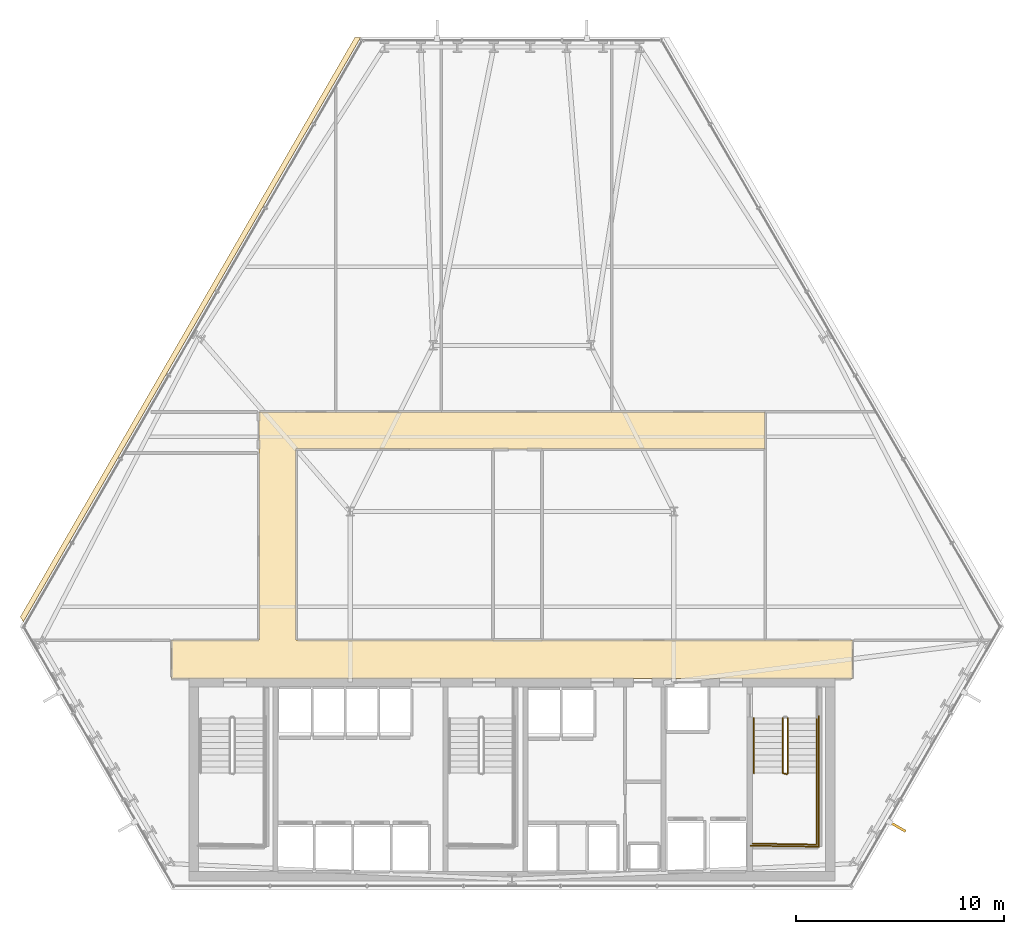
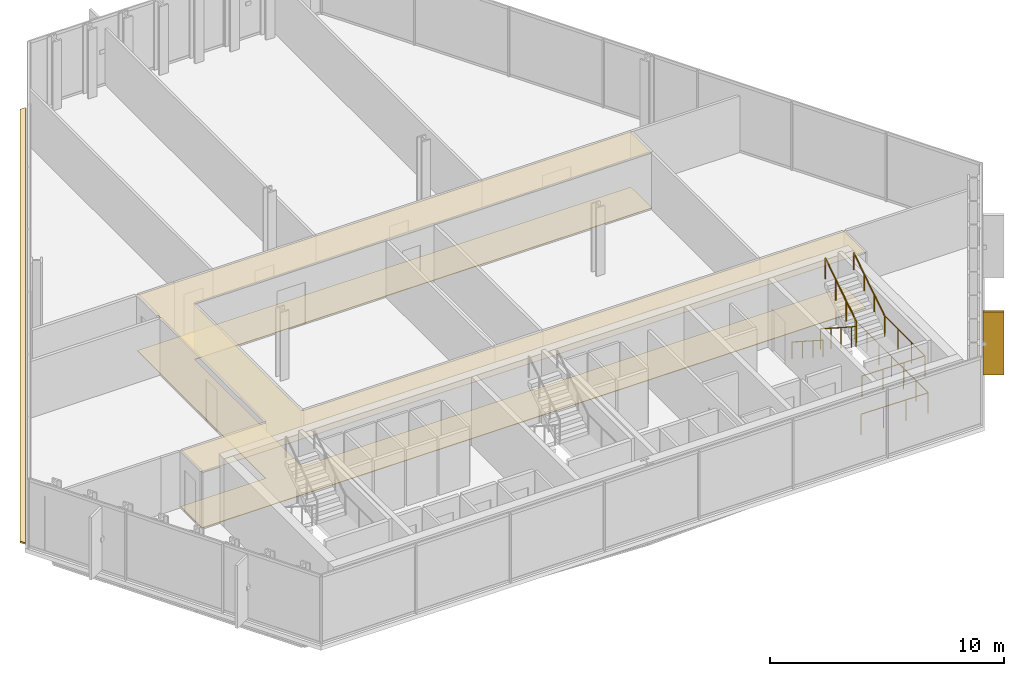
# One storey, part 31 of 33: 6 railings, 3 coverings, 1 shading device.
"""IFC4 building model written with IfcOpenShell, lengths in metres."""

from ifc_helpers import new_model, si_unit, direction, frame, origin, origin_2d, place, context, subcontext, project, spatial, polyline, rectangle, circle, outline, extrude, material, layer, layer_set, type_object, element, save


model = new_model("IFC4")

# Units and contexts
model_context = context("Model", 3, precision=1e-05, world=origin(), true_north=direction((0.0, 1.0)))
body_context = subcontext(model_context, "Body", "Model", "MODEL_VIEW")
ifc_project = project(units=[si_unit("LENGTHUNIT", "METRE"), si_unit("AREAUNIT", "SQUARE_METRE"), si_unit("VOLUMEUNIT", "CUBIC_METRE"), si_unit("PLANEANGLEUNIT", "RADIAN"), si_unit("MASSUNIT", "GRAM", prefix="KILO")], contexts=[model_context])

# Site, building, storey
site_placement = place(None, origin())
site = spatial("IfcSite", under=ifc_project, at=site_placement, CompositionType="ELEMENT")
building_placement = place(site_placement, origin())
building = spatial("IfcBuilding", under=site, at=building_placement, Name="Ndaravel Arena Tower", CompositionType="ELEMENT")
storey_placement = place(building_placement, frame((0.0, 0.0, 81.60009765625)))
storey = spatial("IfcBuildingStorey", under=building, at=storey_placement, Name="L18", CompositionType="ELEMENT", Elevation=81.60009765625)

# Coverings
ifc_material_1 = material(Name="Acoustic Ceiling Tile", Category="finish")
ifc_layer_1 = layer(ifc_material_1, 0.02490234375)
ifc_layer_set_1 = layer_set([ifc_layer_1], Name="Acoustic Ceiling Tile")
covering_type_1 = type_object("IfcCoveringType", Name="COV-CEIL-AC600", PredefinedType="CEILING", material=ifc_layer_set_1)
covering_1_placement = place(storey_placement, frame((0.0, 0.0, 2.919921875)))
element("IfcCovering", 1, at=covering_1_placement, inside=storey, type_object=covering_type_1, Name="L18 Corridor Acoustic Ceiling", PredefinedType="CEILING", context=body_context, shape_type="SweptSolid", body=[
    extrude(outline(polyline([(58.39990234375, 17.0), (31.60009765625, 17.0), (31.60009765625, 26.199951171875), (54.199951171875, 26.199951171875), (54.199951171875, 28.0), (31.60009765625, 28.0), (29.800048828125, 28.0), (29.800048828125, 26.199951171875), (29.800048828125, 17.0), (25.60009765625, 17.0), (25.60009765625, 15.14990234375), (58.39990234375, 15.14990234375), (58.39990234375, 17.0)])), origin(), (0.0, 0.0, 1.0), 0.02490234375),
])
ifc_material_2 = material(Name="Terrazzo", Category="stone")
ifc_layer_2 = layer(ifc_material_2, 0.030029296875)
ifc_layer_set_2 = layer_set([ifc_layer_2], Name="Terrazzo")
covering_type_2 = type_object("IfcCoveringType", Name="COV-FLOOR-TERRAZZO", PredefinedType="FLOORING", material=ifc_layer_set_2)
covering_2_placement = place(storey_placement, origin())
element("IfcCovering", 2, at=covering_2_placement, inside=storey, type_object=covering_type_2, Name="L18 Corridor Terrazzo Flooring", PredefinedType="FLOORING", context=body_context, shape_type="SweptSolid", body=[
    extrude(outline(polyline([(58.39990234375, 17.0), (31.60009765625, 17.0), (31.60009765625, 26.199951171875), (54.199951171875, 26.199951171875), (54.199951171875, 28.0), (31.60009765625, 28.0), (29.800048828125, 28.0), (29.800048828125, 26.199951171875), (29.800048828125, 17.0), (25.60009765625, 17.0), (25.60009765625, 15.14990234375), (58.39990234375, 15.14990234375), (58.39990234375, 17.0)])), origin(), (0.0, 0.0, 1.0), 0.02978515625),
])
ifc_material_3 = material(Name="Roofing Membrane", Category="finish")
ifc_layer_3 = layer(ifc_material_3, 0.080078125)
ifc_layer_set_3 = layer_set([ifc_layer_3], Name="Roofing Membrane")
covering_type_3 = type_object("IfcCoveringType", Name="COV-ROOF-MEMB", PredefinedType="ROOFING", material=ifc_layer_set_3)
covering_3_placement = place(storey_placement, origin())
element("IfcCovering", 3, at=covering_3_placement, inside=storey, type_object=covering_type_3, Name="L18 Facet Setback Weathering Flashing", PredefinedType="ROOFING", context=body_context, shape_type="SweptSolid", body=[
    extrude(outline(polyline([(18.313720703125, 18.127197265625), (34.4208984375, 46.025634765625), (34.703369140625, 46.025634765625), (18.455078125, 17.882568359375), (18.313720703125, 18.127197265625)])), origin(), (0.0, 0.0, 1.0), 0.079833984375),
])

# Railings
ifc_material_4 = material(Name="Steel S355", Category="steel")
ifc_layer_4 = layer(ifc_material_4, 0.06005859375)
ifc_layer_set_4 = layer_set([ifc_layer_4], Name="Steel S355")
railing_type_1 = type_object("IfcRailingType", Name="RAIL-STAIR-GD1100", PredefinedType="GUARDRAIL", material=ifc_layer_set_4)
railing_1_placement = place(storey_placement, frame((55.050048828125, 13.25, 0.18994140625)))
element("IfcRailing", 4, at=railing_1_placement, inside=storey, type_object=railing_type_1, Name="L18 ST-3 stair guard 1", PredefinedType="GUARDRAIL", context=body_context, shape_type="SweptSolid", body=[
    extrude(circle(Radius=0.02392578125, at=origin_2d()), frame((0.0, 0.0, 1.076171875), z_axis=(0.0, -0.840723540582, 0.54146461409), x_axis=(1.0, 0.0, 0.0)), (0.0, 0.0, 1.0), 3.157958984375),
    extrude(circle(Radius=0.02392578125, at=origin_2d()), frame((0.0, -2.655029296875, 2.7861328125), z_axis=(0.966993988697, -0.254799187253, 0.0), x_axis=(0.254799187253, 0.966993988697, 0.0)), (0.0, 0.0, 1.0), 0.196533203125),
    extrude(circle(Radius=0.02099609375, at=origin_2d()), origin(), (0.0, 0.0, 1.0), 1.052001953125),
    extrude(circle(Radius=0.02099609375, at=origin_2d()), frame((0.0, -0.885009765625, 0.570068359375)), (0.0, 0.0, 1.0), 1.052001953125),
    extrude(circle(Radius=0.02099609375, at=origin_2d()), frame((0.0, -1.77001953125, 1.139892578125)), (0.0, 0.0, 1.0), 1.052001953125),
    extrude(circle(Radius=0.02099609375, at=origin_2d()), frame((0.0, -2.655029296875, 1.7099609375)), (0.0, 0.0, 1.0), 1.052001953125),
    extrude(circle(Radius=0.02099609375, at=origin_2d()), frame((0.18994140625, -2.705078125, 1.7099609375)), (0.0, 0.0, 1.0), 1.052001953125),
])
railing_2_placement = place(storey_placement, frame((56.68994140625, 10.594970703125, 1.89990234375)))
element("IfcRailing", 5, at=railing_2_placement, inside=storey, type_object=railing_type_1, Name="L18 ST-3 stair guard 2", PredefinedType="GUARDRAIL", context=body_context, shape_type="SweptSolid", body=[
    extrude(circle(Radius=0.02392578125, at=origin_2d()), frame((0.0, 0.0, 1.076171875), z_axis=(0.0, -1.0, 0.0), x_axis=(1.0, 0.0, 0.0)), (0.0, 0.0, 1.0), 3.445068359375),
    extrude(circle(Radius=0.02392578125, at=origin_2d()), frame((0.0, -3.445068359375, 1.076171875), z_axis=(-0.999868840623, 0.016195726322, 0.0), x_axis=(-0.016195726322, -0.999868840623, 0.0)), (0.0, 0.0, 1.0), 3.09033203125),
    extrude(circle(Radius=0.02099609375, at=origin_2d()), origin(), (0.0, 0.0, 1.0), 1.052001953125),
    extrude(circle(Radius=0.02099609375, at=origin_2d()), frame((0.0, -1.1484375, 0.0)), (0.0, 0.0, 1.0), 1.052001953125),
    extrude(circle(Radius=0.02099609375, at=origin_2d()), frame((0.0, -2.296630859375, 0.0)), (0.0, 0.0, 1.0), 1.052001953125),
    extrude(circle(Radius=0.02099609375, at=origin_2d()), frame((0.0, -3.445068359375, 0.0)), (0.0, 0.0, 1.0), 1.052001953125),
    extrude(circle(Radius=0.02099609375, at=origin_2d()), frame((-1.030029296875, -3.428466796875, 0.0)), (0.0, 0.0, 1.0), 1.052001953125),
    extrude(circle(Radius=0.02099609375, at=origin_2d()), frame((-2.059814453125, -3.41162109375, 0.0)), (0.0, 0.0, 1.0), 1.052001953125),
    extrude(circle(Radius=0.02099609375, at=origin_2d()), frame((-3.08984375, -3.39501953125, 0.0)), (0.0, 0.0, 1.0), 1.052001953125),
])
railing_3_placement = place(storey_placement, frame((55.2900390625, 10.594970703125, 2.08984375)))
element("IfcRailing", 6, at=railing_3_placement, inside=storey, type_object=railing_type_1, Name="L18 ST-3 stair guard 3", PredefinedType="GUARDRAIL", context=body_context, shape_type="SweptSolid", body=[
    extrude(circle(Radius=0.02392578125, at=origin_2d()), frame((0.0, 0.0, 1.076171875), z_axis=(0.0, 0.840723540582, 0.54146461409), x_axis=(-1.0, 0.0, 0.0)), (0.0, 0.0, 1.0), 3.157958984375),
    extrude(circle(Radius=0.02099609375, at=origin_2d()), origin(), (0.0, 0.0, 1.0), 1.052001953125),
    extrude(circle(Radius=0.02099609375, at=origin_2d()), frame((0.0, 0.885009765625, 0.570068359375)), (0.0, 0.0, 1.0), 1.052001953125),
    extrude(circle(Radius=0.02099609375, at=origin_2d()), frame((0.0, 1.77001953125, 1.139892578125)), (0.0, 0.0, 1.0), 1.052001953125),
    extrude(circle(Radius=0.02099609375, at=origin_2d()), frame((0.0, 2.655029296875, 1.7099609375)), (0.0, 0.0, 1.0), 1.052001953125),
])
railing_4_placement = place(storey_placement, frame((56.7900390625, 13.35009765625, 0.0)))
element("IfcRailing", 7, at=railing_4_placement, inside=storey, type_object=railing_type_1, Name="L18 ST-3 stair guard 6", PredefinedType="GUARDRAIL", context=body_context, shape_type="SweptSolid", body=[
    extrude(circle(Radius=0.02392578125, at=origin_2d()), frame((0.0, 0.0, 1.076171875), z_axis=(0.0, -1.0, 0.0), x_axis=(1.0, 0.0, 0.0)), (0.0, 0.0, 1.0), 6.300048828125),
    extrude(circle(Radius=0.02392578125, at=origin_2d()), frame((0.0, -6.300048828125, 1.076171875), z_axis=(-0.99988431412, 0.015210469308, 0.0), x_axis=(-0.015210469308, -0.99988431412, 0.0)), (0.0, 0.0, 1.0), 3.29052734375),
    extrude(circle(Radius=0.02099609375, at=origin_2d()), origin(), (0.0, 0.0, 1.0), 1.052001953125),
    extrude(circle(Radius=0.02099609375, at=origin_2d()), frame((0.0, -1.050048828125, 0.0)), (0.0, 0.0, 1.0), 1.052001953125),
    extrude(circle(Radius=0.02099609375, at=origin_2d()), frame((0.0, -2.10009765625, 0.0)), (0.0, 0.0, 1.0), 1.052001953125),
    extrude(circle(Radius=0.02099609375, at=origin_2d()), frame((0.0, -3.14990234375, 0.0)), (0.0, 0.0, 1.0), 1.052001953125),
    extrude(circle(Radius=0.02099609375, at=origin_2d()), frame((0.0, -4.199951171875, 0.0)), (0.0, 0.0, 1.0), 1.052001953125),
    extrude(circle(Radius=0.02099609375, at=origin_2d()), frame((0.0, -5.25, 0.0)), (0.0, 0.0, 1.0), 1.052001953125),
    extrude(circle(Radius=0.02099609375, at=origin_2d()), frame((0.0, -6.300048828125, 0.0)), (0.0, 0.0, 1.0), 1.052001953125),
    extrude(circle(Radius=0.02099609375, at=origin_2d()), frame((-1.0966796875, -6.283447265625, 0.0)), (0.0, 0.0, 1.0), 1.052001953125),
    extrude(circle(Radius=0.02099609375, at=origin_2d()), frame((-2.193359375, -6.2666015625, 0.0)), (0.0, 0.0, 1.0), 1.052001953125),
    extrude(circle(Radius=0.02099609375, at=origin_2d()), frame((-3.2900390625, -6.25, 0.0)), (0.0, 0.0, 1.0), 1.052001953125),
])
ifc_material_5 = material(Name="Steel S355", Category="steel")
ifc_layer_5 = layer(ifc_material_5, 0.050048828125)
ifc_layer_set_5 = layer_set([ifc_layer_5], Name="Steel S355")
railing_type_2 = type_object("IfcRailingType", Name="RAIL-STAIR-HR920", PredefinedType="HANDRAIL", material=ifc_layer_set_5)
railing_5_placement = place(storey_placement, frame((53.64990234375, 13.25, 0.18994140625)))
element("IfcRailing", 8, at=railing_5_placement, inside=storey, type_object=railing_type_2, Name="L18 ST-3 stair handrail 1", PredefinedType="HANDRAIL", context=body_context, shape_type="SweptSolid", body=[
    extrude(circle(Radius=0.02392578125, at=origin_2d()), frame((0.0, 0.0, 0.8759765625), z_axis=(0.0, -0.840723540582, 0.54146461409), x_axis=(1.0, 0.0, 0.0)), (0.0, 0.0, 1.0), 3.157958984375),
    extrude(circle(Radius=0.02099609375, at=origin_2d()), origin(), (0.0, 0.0, 1.0), 0.851806640625),
    extrude(circle(Radius=0.02099609375, at=origin_2d()), frame((0.0, -0.885009765625, 0.570068359375)), (0.0, 0.0, 1.0), 0.851806640625),
    extrude(circle(Radius=0.02099609375, at=origin_2d()), frame((0.0, -1.77001953125, 1.139892578125)), (0.0, 0.0, 1.0), 0.851806640625),
    extrude(circle(Radius=0.02099609375, at=origin_2d()), frame((0.0, -2.655029296875, 1.7099609375)), (0.0, 0.0, 1.0), 0.851806640625),
])
railing_6_placement = place(storey_placement, frame((56.68994140625, 10.594970703125, 2.08984375)))
element("IfcRailing", 9, at=railing_6_placement, inside=storey, type_object=railing_type_2, Name="L18 ST-3 stair handrail 2", PredefinedType="HANDRAIL", context=body_context, shape_type="SweptSolid", body=[
    extrude(circle(Radius=0.02392578125, at=origin_2d()), frame((0.0, 0.0, 0.8759765625), z_axis=(0.0, 0.840723540582, 0.54146461409), x_axis=(-1.0, 0.0, 0.0)), (0.0, 0.0, 1.0), 3.157958984375),
    extrude(circle(Radius=0.02099609375, at=origin_2d()), origin(), (0.0, 0.0, 1.0), 0.851806640625),
    extrude(circle(Radius=0.02099609375, at=origin_2d()), frame((0.0, 0.885009765625, 0.570068359375)), (0.0, 0.0, 1.0), 0.851806640625),
    extrude(circle(Radius=0.02099609375, at=origin_2d()), frame((0.0, 1.77001953125, 1.139892578125)), (0.0, 0.0, 1.0), 0.851806640625),
    extrude(circle(Radius=0.02099609375, at=origin_2d()), frame((0.0, 2.655029296875, 1.7099609375)), (0.0, 0.0, 1.0), 0.851806640625),
])

# Shading device
ifc_material_6 = material(Name="Masonry", Category="masonry")
shading_device_type = type_object("IfcShadingDeviceType", Name="SHD-MAZERAS-FIN", PredefinedType="SHUTTER", material=ifc_material_6)
shading_device_placement = place(storey_placement, frame((60.57373046875, 8.014892578125, 0.14990234375), z_axis=(0.0, 0.0, 1.0), x_axis=(0.866025403784, -0.5, 0.0)))
element("IfcShadingDevice", 10, at=shading_device_placement, inside=storey, type_object=shading_device_type, Name="L18 Mazeras Stone Solar Fin E2.1", PredefinedType="SHUTTER", context=body_context, shape_type="SweptSolid", body=[
    extrude(rectangle(XDim=0.89990234375, YDim=0.1201171875, at=origin_2d()), origin(), (0.0, 0.0, 1.0), 3.280029296875),
])

save(model, "model.ifc")
